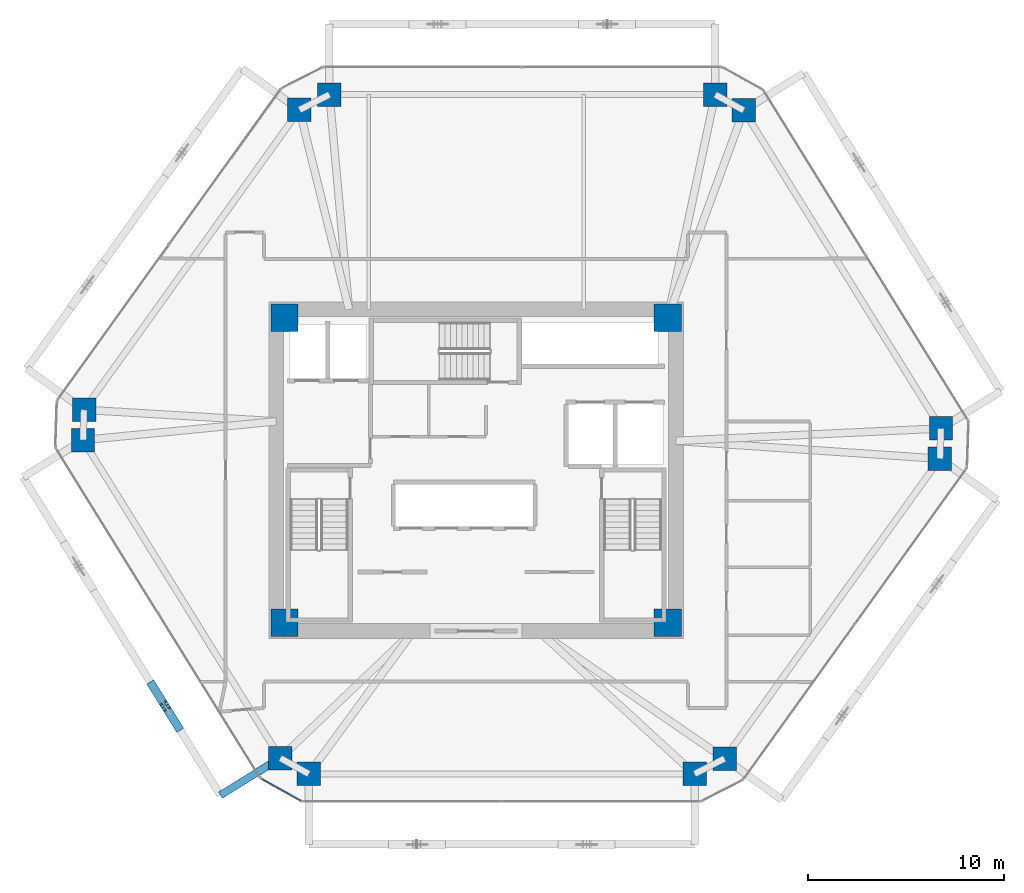
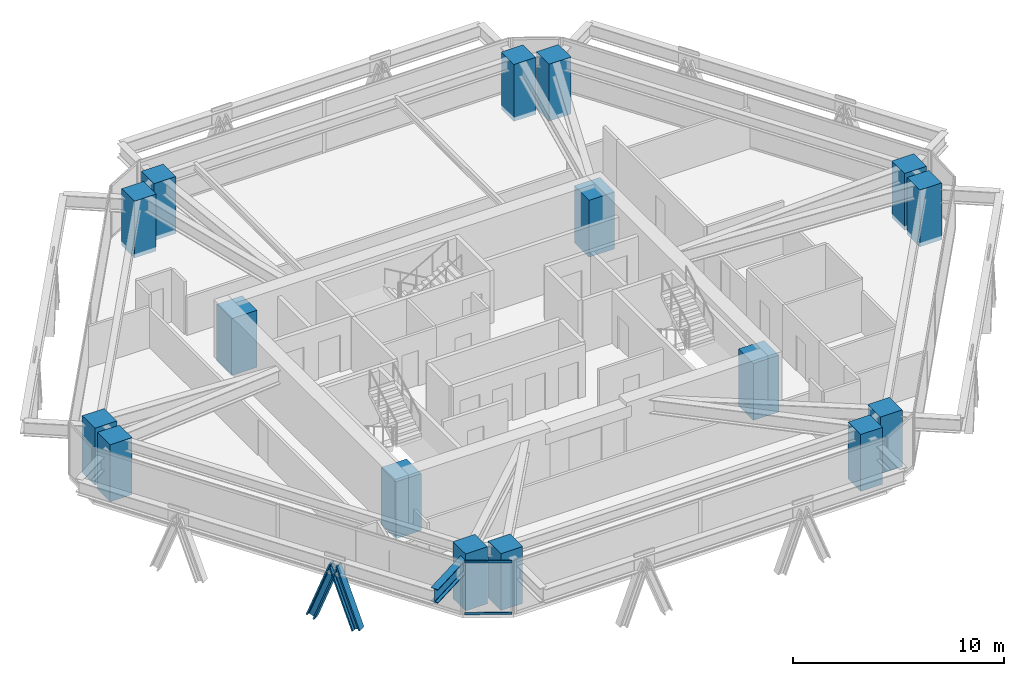
# One storey, part 1 of 15: 16 columns, 4 members, 1 beam, 1 element without a shape of its own.
"""IFC4 building model written with IfcOpenShell, lengths in metres."""

import ifcopenshell
import ifcopenshell.guid

model = None  # the IFC model being written
_history = None  # IfcOwnerHistory: only IFC2X3 demands one
_inside = {}  # id of a spatial element -> (the spatial element, [elements in it])
_under = {}  # id of a project, library or spatial element -> (it, [spatial elements below it])
_declared = {}  # id of a project -> (the project, [libraries it declares])
_typed = {}  # id of a type object -> (the type object, [elements of that type])
_made_of = {}  # id of a material, layer set ... -> (it, [elements and type objects made of it])


def new_model(schema):
    """Start an empty IFC model of exactly this schema.

    Asked for "IFC4X3", IfcOpenShell would pick the latest addendum, in which some entities
    have other attributes; the version numbers below select the first issue.
    IFC2X3 requires an IfcOwnerHistory on every rooted entity: one is made here for all.
    """
    global model, _history
    if schema == "IFC4X3":
        model = ifcopenshell.file(schema_version=(4, 3, 0, 0))
    else:
        model = ifcopenshell.file(schema=schema)
    _inside.clear()
    _under.clear()
    _declared.clear()
    _typed.clear()
    _made_of.clear()
    _history = None
    if model.schema == "IFC2X3":
        org = make("IfcOrganization", Name="unknown")
        user = make(
            "IfcPersonAndOrganization",
            ThePerson=make("IfcPerson", FamilyName="unknown"),
            TheOrganization=org,
        )
        app = make(
            "IfcApplication",
            ApplicationDeveloper=org,
            Version="unknown",
            ApplicationFullName="unknown",
            ApplicationIdentifier="unknown",
        )
        _history = make(
            "IfcOwnerHistory",
            OwningUser=user,
            OwningApplication=app,
            ChangeAction="ADDED",
            CreationDate=0,
        )
    return model


def make(cls, **values):
    """One entity of the class cls with the attributes given. An attribute that is None is left unset."""
    return model.create_entity(
        cls, **{name: value for name, value in values.items() if value is not None}
    )


def rooted(cls, **values):
    """An entity with a GlobalId (a new one), such as an element, a storey or a relation."""
    return make(cls, GlobalId=ifcopenshell.guid.new(), OwnerHistory=_history, **values)


def si_unit(unit_type, name, prefix=None):
    """IfcSIUnit, for example si_unit("LENGTHUNIT", "METRE", prefix="MILLI")."""
    return make("IfcSIUnit", UnitType=unit_type, Prefix=prefix, Name=name)


def assignment(units):
    """IfcUnitAssignment: the units of a project."""
    return None if units is None else make("IfcUnitAssignment", Units=units)


def point(xyz):
    """IfcCartesianPoint."""
    return None if xyz is None else make("IfcCartesianPoint", Coordinates=xyz)


def direction(xyz):
    """IfcDirection."""
    return None if xyz is None else make("IfcDirection", DirectionRatios=xyz)


def frame(location, z_axis=None, x_axis=None):
    """IfcAxis2Placement3D, a coordinate frame: its origin and axes. An axis left out is left unset."""
    return make(
        "IfcAxis2Placement3D",
        Location=point(location),
        Axis=direction(z_axis),
        RefDirection=direction(x_axis),
    )


def frame_2d(location, x_axis=None):
    """IfcAxis2Placement2D, a coordinate frame in the plane: its origin and x axis."""
    return make(
        "IfcAxis2Placement2D", Location=point(location), RefDirection=direction(x_axis)
    )


def origin():
    """The frame at (0, 0, 0) with its axes left unset."""
    return frame((0.0, 0.0, 0.0))


def origin_2d():
    """The frame at (0, 0) in the plane with its x axis left unset."""
    return frame_2d((0.0, 0.0))


def place(relative_to, where):
    """IfcLocalPlacement: puts the frame where relative to a parent placement (None: the world)."""
    return make(
        "IfcLocalPlacement", PlacementRelTo=relative_to, RelativePlacement=where
    )


def context(
    kind, dimensions, precision=None, world=None, true_north=None, identifier=None
):
    """IfcGeometricRepresentationContext, for example the 3D "Model" context."""
    return make(
        "IfcGeometricRepresentationContext",
        ContextIdentifier=identifier,
        ContextType=kind,
        CoordinateSpaceDimension=dimensions,
        Precision=precision,
        WorldCoordinateSystem=world,
        TrueNorth=true_north,
    )


def subcontext(parent, identifier, kind, view, scale=None):
    """IfcGeometricRepresentationSubContext, for example "Body" below "Model"."""
    return make(
        "IfcGeometricRepresentationSubContext",
        ContextIdentifier=identifier,
        ContextType=kind,
        ParentContext=parent,
        TargetScale=scale,
        TargetView=view,
    )


def project(units=None, contexts=None):
    """IfcProject with its units and contexts."""
    return rooted(
        "IfcProject",
        Name="project",
        RepresentationContexts=contexts,
        UnitsInContext=assignment(units),
    )


def spatial(cls, under=None, at=None, **own):
    """A site, building, storey or space (cls), placed at a placement, below another one or the project."""
    s = rooted(cls, ObjectPlacement=at, **own)
    if under is not None:
        _under.setdefault(under.id(), (under, []))[1].append(s)
    return s


def profile(cls, at=None, kind="AREA", **sizes):
    """A parametric profile (cls). Its sizes go by their IFC names, for example OverallWidth=200.0."""
    return make(cls, ProfileType=kind, Position=at, **sizes)


def rectangle(**sizes):
    """IfcRectangleProfileDef."""
    return profile("IfcRectangleProfileDef", **sizes)


def i_section(**sizes):
    """IfcIShapeProfileDef."""
    return profile("IfcIShapeProfileDef", **sizes)


def extrude(swept, where, along, depth):
    """IfcExtrudedAreaSolid: the profile swept, set in the frame where, extruded along a direction by depth."""
    return make(
        "IfcExtrudedAreaSolid",
        SweptArea=swept,
        Position=where,
        ExtrudedDirection=direction(along),
        Depth=depth,
    )


def shape(context_of_items, identifier, shape_type, items):
    """IfcShapeRepresentation: the items that make up one representation, for example the "Body"."""
    return make(
        "IfcShapeRepresentation",
        ContextOfItems=context_of_items,
        RepresentationIdentifier=identifier,
        RepresentationType=shape_type,
        Items=items,
    )


def source(mapping_origin, context_of_items, identifier, shape_type, items):
    """IfcRepresentationMap: a shape defined once, which mapped items show again and again."""
    return make(
        "IfcRepresentationMap",
        MappingOrigin=mapping_origin,
        MappedRepresentation=shape(context_of_items, identifier, shape_type, items),
    )


def transform(
    local_origin,
    x_axis=None,
    y_axis=None,
    z_axis=None,
    scale=None,
    scale2=None,
    scale3=None,
    uniform=True,
):
    """IfcCartesianTransformationOperator3D, or its non-uniform kind. x_axis, y_axis, z_axis: its Axis1, 2, 3."""
    if uniform:
        return make(
            "IfcCartesianTransformationOperator3D",
            Axis1=direction(x_axis),
            Axis2=direction(y_axis),
            LocalOrigin=point(local_origin),
            Scale=scale,
            Axis3=direction(z_axis),
        )
    return make(
        "IfcCartesianTransformationOperator3DnonUniform",
        Axis1=direction(x_axis),
        Axis2=direction(y_axis),
        LocalOrigin=point(local_origin),
        Scale=scale,
        Axis3=direction(z_axis),
        Scale2=scale2,
        Scale3=scale3,
    )


def mapped(mapping_source, mapping_target):
    """IfcMappedItem: shows the shape of a source again, moved by a transform."""
    return make(
        "IfcMappedItem", MappingSource=mapping_source, MappingTarget=mapping_target
    )


def material(Name=None, Category=None):
    """IfcMaterial."""
    return make("IfcMaterial", Name=Name, Category=Category)


def layer(
    of_material, thickness, ventilated=None, Name=None, Category=None, Priority=None
):
    """IfcMaterialLayer: one layer of a wall or slab, of a material (None: an air gap)."""
    return make(
        "IfcMaterialLayer",
        Material=of_material,
        LayerThickness=thickness,
        IsVentilated=ventilated,
        Name=Name,
        Category=Category,
        Priority=Priority,
    )


def layer_set(layers, Name=None):
    """IfcMaterialLayerSet."""
    return make("IfcMaterialLayerSet", MaterialLayers=layers, LayerSetName=Name)


def material_profile(
    of_material, cross_section, Name=None, Category=None, Priority=None
):
    """IfcMaterialProfile: a cross section and its material."""
    return make(
        "IfcMaterialProfile",
        Name=Name,
        Material=of_material,
        Profile=cross_section,
        Priority=Priority,
        Category=Category,
    )


def profile_set(profiles, Name=None, composite=None):
    """IfcMaterialProfileSet."""
    return make(
        "IfcMaterialProfileSet",
        Name=Name,
        MaterialProfiles=profiles,
        CompositeProfile=composite,
    )


def made_of(thing, what):
    """Note that an element or type object is made of a material, layer set ...; save() writes the relation."""
    if what is not None:
        _made_of.setdefault(what.id(), (what, []))[1].append(thing)
    return thing


def type_object(cls, material=None, **own):
    """A type object (cls), such as IfcWallType, which elements share."""
    return made_of(rooted(cls, **own), material)


def type_shapes(of_type, sources):
    """Give a type object the sources (RepresentationMaps) that its elements show as mapped items."""
    of_type.RepresentationMaps = sources


def element(
    cls,
    number,
    at=None,
    inside=None,
    cuts=None,
    type_object=None,
    material=None,
    context=None,
    identifier="Body",
    shape_type=None,
    held_by="IfcProductDefinitionShape",
    body=None,
    shapes=None,
    **own,
):
    """One element of the class cls, such as IfcWall. Its Tag is "e" and its number.

    at: its placement. inside: the storey or other place that contains it. cuts: it is an
    opening in that element (IfcRelVoidsElement). A single representation is given by context,
    identifier, shape_type and body (its items); several are given by shapes. held_by: the class
    of the entity that holds the representations. save() writes the other relations.
    """
    e = rooted(cls, Tag="e%d" % number, ObjectPlacement=at, **own)
    if body is not None:
        shapes = [shape(context, identifier, shape_type, body)]
    if shapes is not None:
        e.Representation = make(held_by, Representations=shapes)
    if inside is not None:
        _inside.setdefault(inside.id(), (inside, []))[1].append(e)
    if cuts is not None:
        rooted(
            "IfcRelVoidsElement", RelatingBuildingElement=cuts, RelatedOpeningElement=e
        )
    if type_object is not None:
        _typed.setdefault(type_object.id(), (type_object, []))[1].append(e)
    return made_of(e, material)


def aggregate(whole, parts):
    """IfcRelAggregates: a whole, such as a stair, and the parts it consists of."""
    return rooted("IfcRelAggregates", RelatingObject=whole, RelatedObjects=parts)


def save(model, path):
    """Write the relations noted so far, then the file.

    IfcRelAggregates (storeys below a building ...), IfcRelContainedInSpatialStructure (elements
    in a storey), IfcRelDefinesByType, IfcRelAssociatesMaterial and IfcRelDeclares: one each for
    every whole, place, type object, material and project.
    """
    for whole, parts in _under.values():
        aggregate(whole, parts)
    for where, things in _inside.values():
        rooted(
            "IfcRelContainedInSpatialStructure",
            RelatedElements=things,
            RelatingStructure=where,
        )
    for kind, things in _typed.values():
        rooted("IfcRelDefinesByType", RelatedObjects=things, RelatingType=kind)
    for what, things in _made_of.values():
        rooted("IfcRelAssociatesMaterial", RelatedObjects=things, RelatingMaterial=what)
    for by, libraries in _declared.values():
        rooted("IfcRelDeclares", RelatingContext=by, RelatedDefinitions=libraries)
    model.write(path)


model = new_model("IFC4")

# Units and contexts
model_context = context("Model", 3, precision=1e-05, world=origin(), true_north=direction((0.0, 1.0)))
body_context = subcontext(model_context, "Body", "Model", "MODEL_VIEW")
ifc_project = project(units=[si_unit("LENGTHUNIT", "METRE"), si_unit("AREAUNIT", "SQUARE_METRE"), si_unit("VOLUMEUNIT", "CUBIC_METRE"), si_unit("PLANEANGLEUNIT", "RADIAN"), si_unit("MASSUNIT", "GRAM", prefix="KILO")], contexts=[model_context])

# Site, building, storey
site_placement = place(None, origin())
site = spatial("IfcSite", under=ifc_project, at=site_placement, CompositionType="ELEMENT")
building_placement = place(site_placement, origin())
building = spatial("IfcBuilding", under=site, at=building_placement, Name="Durnholm Broadcast Tower", CompositionType="ELEMENT")
storey_placement = place(building_placement, frame((0.0, 0.0, 104.10009765625)))
storey = spatial("IfcBuildingStorey", under=building, at=storey_placement, Name="L27", CompositionType="ELEMENT", Elevation=104.10009765625)

# Columns
ifc_material_1 = material(Name="Concrete C70/85", Category="concrete")
ifc_material_profile_1 = material_profile(ifc_material_1, rectangle(XDim=1.39990234375, YDim=1.39990234375, at=origin_2d()), Name="RC1400X1400")
ifc_profile_set_1 = profile_set([ifc_material_profile_1], Name="Concrete C70/85")
column_type_1 = type_object("IfcColumnType", Name="COL-CC-1400", PredefinedType="COLUMN", material=ifc_profile_set_1)
shared_shape_1 = source(origin(), body_context, "Body", "SweptSolid", [
    extrude(rectangle(XDim=1.39990234375, YDim=1.39990234375, at=origin_2d()), origin(), (0.0, 0.0, 1.0), 3.2998046875),
])
type_shapes(column_type_1, [shared_shape_1])
for number, where, z_axis, x_axis, name in (
    (1, (-9.800048828125, -7.800048828125, -0.239990234375), (0.0, 0.0, 1.0), (1.0, 0.0, 0.0), "L27 core corner column 1"),
    (2, (9.800048828125, -7.800048828125, -0.239990234375), (0.0, 0.0, 1.0), (1.0, 0.0, 0.0), "L27 core corner column 2"),
    (3, (9.800048828125, 7.800048828125, -0.239990234375), (0.0, 0.0, 1.0), (1.0, 0.0, 0.0), "L27 core corner column 3"),
    (4, (-9.800048828125, 7.800048828125, -0.239990234375), (0.0, 0.0, 1.0), (1.0, 0.0, 0.0), "L27 core corner column 4"),
):
    element("IfcColumn", number, at=place(storey_placement, frame(where, z_axis=z_axis, x_axis=x_axis)), inside=storey, type_object=column_type_1, Name=name, PredefinedType="COLUMN", context=body_context, shape_type="MappedRepresentation", body=[
        mapped(shared_shape_1, transform((0.0, 0.0, 0.0), x_axis=(1.0, 0.0, 0.0), y_axis=(0.0, 1.0, 0.0), z_axis=(0.0, 0.0, 1.0), scale=1.0)),
    ])
ifc_material_profile_2 = material_profile(ifc_material_1, rectangle(XDim=1.199951171875, YDim=1.199951171875, at=origin_2d()), Name="RC1200X1200")
ifc_profile_set_2 = profile_set([ifc_material_profile_2], Name="Concrete C70/85")
column_type_2 = type_object("IfcColumnType", Name="COL-CC-1200", PredefinedType="COLUMN", material=ifc_profile_set_2)
shared_shape_2 = source(origin(), body_context, "Body", "SweptSolid", [
    extrude(rectangle(XDim=1.199951171875, YDim=1.199951171875, at=origin_2d()), origin(), (0.0, 0.0, 1.0), 3.2998046875),
])
type_shapes(column_type_2, [shared_shape_2])
for number, where, z_axis, x_axis, name in (
    (5, (-10.01416015625, -14.723388671875, -0.239990234375), (0.0, 0.0, 1.0), (1.0, 0.0, 0.0), "L27 perimeter hexagonal tube column 01"),
    (6, (-20.102783203125, 1.54150390625, -0.239990234375), (0.0, 0.0, 1.0), (1.0, 0.0, 0.0), "L27 perimeter hexagonal tube column 02"),
    (7, (-20.050048828125, 3.091064453125, -0.239990234375), (0.0, 0.0, 1.0), (1.0, 0.0, 0.0), "L27 perimeter hexagonal tube column 03"),
    (8, (-9.031982421875, 18.42822265625, -0.239990234375), (0.0, 0.0, 1.0), (1.0, 0.0, 0.0), "L27 perimeter hexagonal tube column 04"),
    (9, (-7.498046875, 19.215087890625, -0.239990234375), (0.0, 0.0, 1.0), (1.0, 0.0, 0.0), "L27 perimeter hexagonal tube column 05"),
    (10, (12.22998046875, 19.215087890625, -0.239990234375), (0.0, 0.0, 1.0), (1.0, 0.0, 0.0), "L27 perimeter hexagonal tube column 06"),
    (11, (13.692138671875, 18.4013671875, -0.239990234375), (0.0, 0.0, 1.0), (1.0, 0.0, 0.0), "L27 perimeter hexagonal tube column 07"),
    (12, (23.78076171875, 2.13671875, -0.239990234375), (0.0, 0.0, 1.0), (1.0, 0.0, 0.0), "L27 perimeter hexagonal tube column 08"),
    (13, (23.72802734375, 0.5869140625, -0.239990234375), (0.0, 0.0, 1.0), (1.0, 0.0, 0.0), "L27 perimeter hexagonal tube column 09"),
    (14, (12.7099609375, -14.750244140625, -0.239990234375), (0.0, 0.0, 1.0), (1.0, 0.0, 0.0), "L27 perimeter hexagonal tube column 10"),
    (15, (11.176025390625, -15.537109375, -0.239990234375), (0.0, 0.0, 1.0), (1.0, 0.0, 0.0), "L27 perimeter hexagonal tube column 11"),
    (16, (-8.552001953125, -15.537109375, -0.239990234375), (0.0, 0.0, 1.0), (1.0, 0.0, 0.0), "L27 perimeter hexagonal tube column 12"),
):
    element("IfcColumn", number, at=place(storey_placement, frame(where, z_axis=z_axis, x_axis=x_axis)), inside=storey, type_object=column_type_2, Name=name, PredefinedType="COLUMN", context=body_context, shape_type="MappedRepresentation", body=[
        mapped(shared_shape_2, transform((0.0, 0.0, 0.0), x_axis=(1.0, 0.0, 0.0), y_axis=(0.0, 1.0, 0.0), z_axis=(0.0, 0.0, 1.0), scale=1.0)),
    ])

# Beam
ifc_material_2 = material(Name="Steel ASTM A992 Grade 50", Category="steel")
ifc_material_profile_3 = material_profile(ifc_material_2, i_section(OverallWidth=0.385009765625, OverallDepth=0.802978515625, WebThickness=0.023681640625, FlangeThickness=0.0419921875, FilletRadius=0.032958984375, at=origin_2d()), Name="W30X261")
ifc_profile_set_3 = profile_set([ifc_material_profile_3], Name="Steel ASTM A992 Grade 50")
beam_type = type_object("IfcBeamType", Name="BM-EXO-TIE", PredefinedType="USERDEFINED", material=ifc_profile_set_3)
shared_shape_3 = source(origin(), body_context, "Body", "SweptSolid", [
    extrude(i_section(OverallWidth=0.385009765625, OverallDepth=0.802978515625, WebThickness=0.023681640625, FlangeThickness=0.0419921875, FilletRadius=0.032958984375, at=origin_2d()), origin(), (0.0, 0.0, 1.0), 3.455810546875),
])
type_shapes(beam_type, [shared_shape_3])
beam_placement = place(storey_placement, frame((-10.13671875, -14.79931640625, 2.30859375), z_axis=(-0.849807128357, -0.527093772107, 0.0), x_axis=(0.527093772107, -0.849807128357, 0.0)))
element("IfcBeam", 17, at=beam_placement, inside=storey, type_object=beam_type, Name="L27 exoskeleton stand-off tie bracket F6.2", ObjectType="GIRDER", PredefinedType="USERDEFINED", context=body_context, shape_type="MappedRepresentation", body=[
    mapped(shared_shape_3, transform((0.0, 0.0, 0.0), x_axis=(1.0, 0.0, 0.0), y_axis=(0.0, 1.0, 0.0), z_axis=(0.0, 0.0, 1.0), scale=1.0)),
])

# Members
ifc_material_3 = material(Name="Steel ASTM A913 Grade 65", Category="steel")
ifc_material_profile_4 = material_profile(ifc_material_3, i_section(OverallWidth=0.424072265625, OverallDepth=0.47412109375, WebThickness=0.047607421875, FlangeThickness=0.0771484375, FilletRadius=0.030517578125, at=origin_2d()), Name="W14X426")
ifc_profile_set_4 = profile_set([ifc_material_profile_4], Name="Steel ASTM A913 Grade 65")
member_type_1 = type_object("IfcMemberType", Name="STL-DG-W14X426", PredefinedType="BRACE", material=ifc_profile_set_4)
shared_shape_4 = source(origin(), body_context, "Body", "SweptSolid", [
    extrude(i_section(OverallWidth=0.424072265625, OverallDepth=0.47412109375, WebThickness=0.047607421875, FlangeThickness=0.0771484375, FilletRadius=0.030517578125, at=origin_2d()), origin(), (0.0, 0.0, 1.0), 3.523193359375),
])
type_shapes(member_type_1, [shared_shape_4])
for number, where, z_axis, x_axis, name in (
    (18, (-16.548583984375, -11.018310546875, -0.991455078125), (0.184606642766, -0.297560406921, 0.936684681032), (0.849750220063, 0.527185511469, 0.0), "L27 stand-off diagrid brace F6.D2.1"),
    (19, (-15.247802734375, -13.115234375, -0.991455078125), (-0.184602835855, 0.297623566065, 0.936665364961), (-0.849805205368, -0.527096872433, 0.0), "L27 stand-off diagrid brace F6.D2.2"),
):
    element("IfcMember", number, at=place(storey_placement, frame(where, z_axis=z_axis, x_axis=x_axis)), inside=storey, type_object=member_type_1, Name=name, PredefinedType="BRACE", context=body_context, shape_type="MappedRepresentation", body=[
        mapped(shared_shape_4, transform((0.0, 0.0, 0.0), x_axis=(1.0, 0.0, 0.0), y_axis=(0.0, 1.0, 0.0), z_axis=(0.0, 0.0, 1.0), scale=1.0)),
    ])

# Curtain wall, members
ifc_material_4 = material(Name="Aluminium and Solar Control IGU", Category="aluminium")
ifc_layer = layer(ifc_material_4, 0.1650390625)
ifc_layer_set = layer_set([ifc_layer], Name="Aluminium and Solar Control IGU")
curtain_wall_type = type_object("IfcCurtainWallType", Name="CW-SYS-5", PredefinedType="NOTDEFINED", material=ifc_layer_set)
curtain_wall_placement = place(storey_placement, origin())
curtain_wall = element("IfcCurtainWall", 20, at=curtain_wall_placement, inside=storey, type_object=curtain_wall_type, Name="L27 curtain wall CW-CORNER CW-L27-CRN-11", PredefinedType="NOTDEFINED")
ifc_material_5 = material(Name="Aluminium 6063-T6", Category="aluminium")
ifc_material_profile_5 = material_profile(ifc_material_5, rectangle(XDim=0.06494140625, YDim=0.1298828125, at=origin_2d()), Name="CWT65X130")
ifc_profile_set_5 = profile_set([ifc_material_profile_5], Name="Aluminium 6063-T6")
member_type_2 = type_object("IfcMemberType", Name="CW-SYS-5-TRN", PredefinedType="USERDEFINED", material=ifc_profile_set_5)
shared_shape_5 = source(origin(), body_context, "Body", "SweptSolid", [
    extrude(rectangle(XDim=0.06494140625, YDim=0.1298828125, at=origin_2d()), origin(), (0.0, 0.0, 1.0), 2.27001953125),
])
type_shapes(member_type_2, [shared_shape_5])
member_1_placement = place(storey_placement, frame((-8.971923828125, -16.9052734375, 0.032470703125), z_axis=(-0.873832405737, 0.486227237703, 0.0), x_axis=(-0.486227237703, -0.873832405737, 0.0)))
member_1 = element("IfcMember", 21, at=member_1_placement, type_object=member_type_2, Name="CW-CORNER transom 1.1", ObjectType="TRANSOM", PredefinedType="USERDEFINED", context=body_context, shape_type="MappedRepresentation", body=[
    mapped(shared_shape_5, transform((0.0, 0.0, 0.0), x_axis=(1.0, 0.0, 0.0), y_axis=(0.0, 1.0, 0.0), z_axis=(0.0, 0.0, 1.0), scale=1.0)),
])
member_2_placement = place(storey_placement, frame((-8.971923828125, -16.9052734375, 3.02734375), z_axis=(-0.873832405737, 0.486227237703, 0.0), x_axis=(-0.486227237703, -0.873832405737, 0.0)))
member_2 = element("IfcMember", 22, at=member_2_placement, type_object=member_type_2, Name="CW-CORNER transom 1.2", ObjectType="TRANSOM", PredefinedType="USERDEFINED", context=body_context, shape_type="MappedRepresentation", body=[
    mapped(shared_shape_5, transform((0.0, 0.0, 0.0), x_axis=(1.0, 0.0, 0.0), y_axis=(0.0, 1.0, 0.0), z_axis=(0.0, 0.0, 1.0), scale=1.0)),
])
aggregate(curtain_wall, [member_1, member_2])

save(model, "model.ifc")
